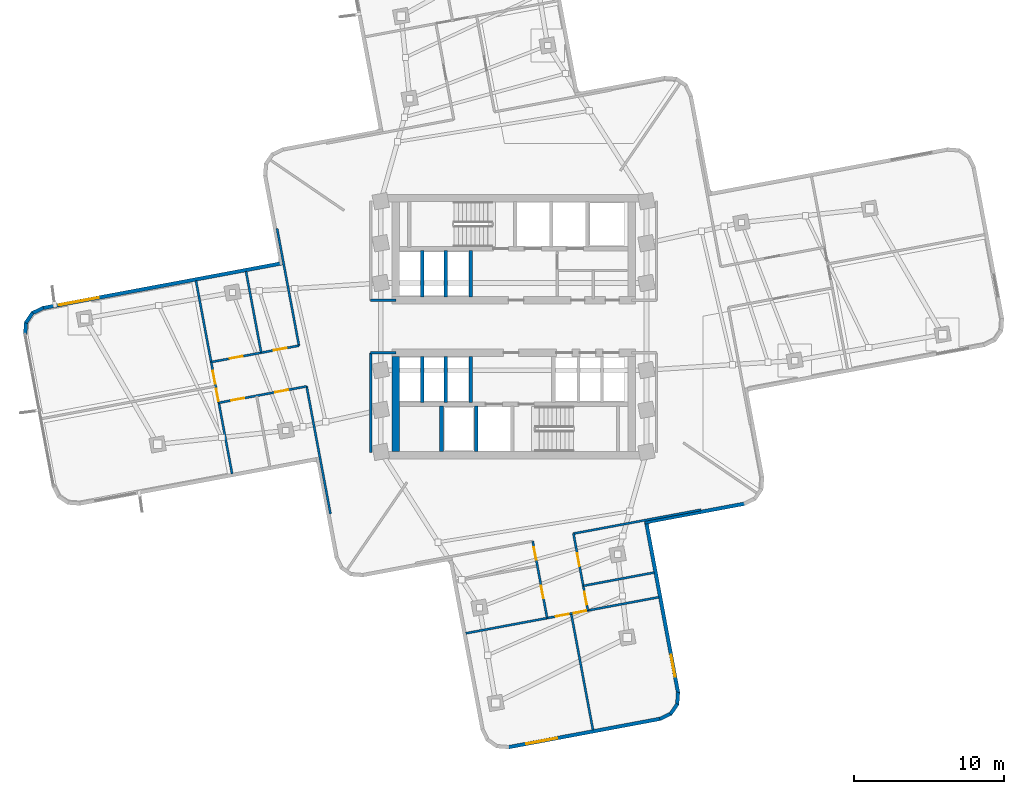
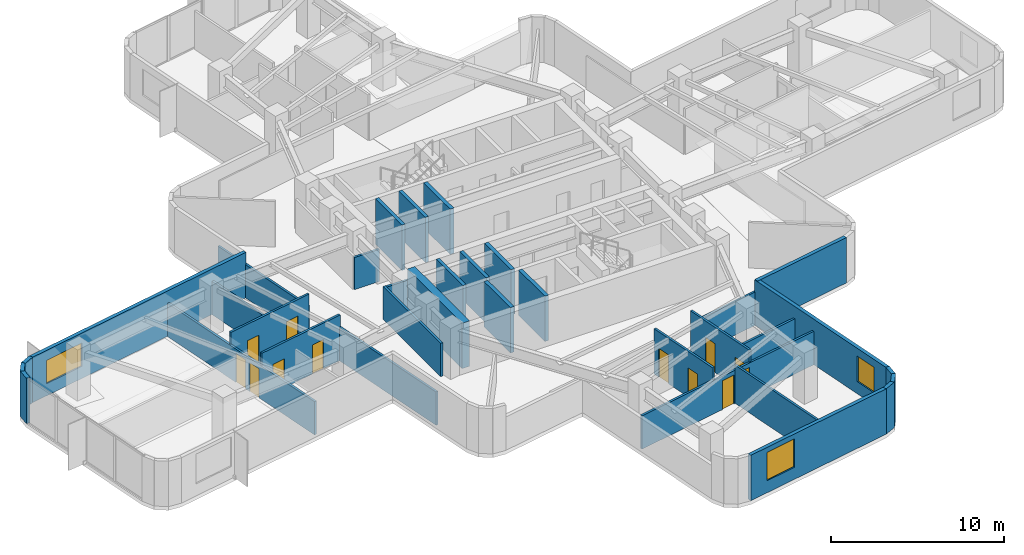
# One storey, part 6 of 12: 34 walls, 12 doors, 3 windows, 15 openings.
"""IFC4 building model written with IfcOpenShell, lengths in metres."""

from ifc_helpers import new_model, si_unit, direction, frame, frame_2d, origin, place, context, subcontext, project, spatial, rectangle, extrude, material, layer, layer_set, type_object, element, fill, save


model = new_model("IFC4")

# Units and contexts
model_context = context("Model", 3, precision=1e-05, world=origin(), true_north=direction((0.0, 1.0)))
body_context = subcontext(model_context, "Body", "Model", "MODEL_VIEW")
ifc_project = project(units=[si_unit("LENGTHUNIT", "METRE"), si_unit("AREAUNIT", "SQUARE_METRE"), si_unit("VOLUMEUNIT", "CUBIC_METRE"), si_unit("PLANEANGLEUNIT", "RADIAN"), si_unit("MASSUNIT", "GRAM", prefix="KILO")], contexts=[model_context])

# Site, building, storey
site_placement = place(None, origin())
site = spatial("IfcSite", under=ifc_project, at=site_placement, CompositionType="ELEMENT")
building_placement = place(site_placement, origin())
building = spatial("IfcBuilding", under=site, at=building_placement, Name="Solmarez Civic Tower", CompositionType="ELEMENT")
storey_placement = place(building_placement, frame((0.0, 0.0, 103.679931640625)))
storey = spatial("IfcBuildingStorey", under=building, at=storey_placement, Name="L27", CompositionType="ELEMENT", Elevation=103.679931640625)

# Walls
ifc_material_1 = material(Name="Concrete C60/75", Category="concrete")
ifc_layer_1 = layer(ifc_material_1, 0.5)
ifc_layer_set_1 = layer_set([ifc_layer_1], Name="Concrete C60/75")
wall_type_1 = type_object("IfcWallType", Name="WALL-CORE-500", PredefinedType="SHEAR", material=ifc_layer_set_1)
wall_1_placement = place(storey_placement, frame((-7.8701171875, -8.31005859375, 0.0), z_axis=(0.0, 0.0, 1.0), x_axis=(0.0, 1.0, 0.0)))
element("IfcWall", 1, at=wall_1_placement, inside=storey, type_object=wall_type_1, Name="L27 Split-Core Structural Wall SCW-W-L27", PredefinedType="SHEAR", context=body_context, shape_type="SweptSolid", body=[
    extrude(rectangle(XDim=6.31005859375, YDim=0.5, at=frame_2d((3.155029296875, 0.0))), origin(), (0.0, 0.0, 1.0), 3.199951171875),
])
ifc_material_2 = material(Name="Precast concrete C40/50", Category="concrete")
ifc_layer_2 = layer(ifc_material_2, 0.239990234375)
ifc_layer_set_2 = layer_set([ifc_layer_2], Name="Precast concrete C40/50")
wall_type_2 = type_object("IfcWallType", Name="WALL-EXT-240", PredefinedType="SOLIDWALL", material=ifc_layer_set_2)
wall_2_placement = place(storey_placement, frame((-32.54296875, -0.535888671875, 0.0), z_axis=(0.0, 0.0, 1.0), x_axis=(0.07586448817, 0.997118137151, 0.0)))
element("IfcWall", 2, at=wall_2_placement, inside=storey, type_object=wall_type_2, Name="L27 Exterior Precast Wall 7", PredefinedType="SOLIDWALL", context=body_context, shape_type="SweptSolid", body=[
    extrude(rectangle(XDim=0.830322265625, YDim=0.239990234375, at=frame_2d((0.4150390625, 0.0))), origin(), (0.0, 0.0, 1.0), 3.199951171875),
])
wall_3_placement = place(storey_placement, frame((-32.49609375, 0.24609375, 0.0), z_axis=(0.0, 0.0, 1.0), x_axis=(0.56454433247, 0.825402748163, 0.0)))
element("IfcWall", 3, at=wall_3_placement, inside=storey, type_object=wall_type_2, Name="L27 Exterior Precast Wall 8", PredefinedType="SOLIDWALL", context=body_context, shape_type="SweptSolid", body=[
    extrude(rectangle(XDim=0.815185546875, YDim=0.239990234375, at=frame_2d((0.40771484375, 0.0))), origin(), (0.0, 0.0, 1.0), 3.199951171875),
])
wall_4_placement = place(storey_placement, frame((-32.072998046875, 0.886962890625, 0.0), z_axis=(0.0, 0.0, 1.0), x_axis=(0.901930409836, 0.431881390908, 0.0)))
element("IfcWall", 4, at=wall_4_placement, inside=storey, type_object=wall_type_2, Name="L27 Exterior Precast Wall 9", PredefinedType="SOLIDWALL", context=body_context, shape_type="SweptSolid", body=[
    extrude(rectangle(XDim=0.83154296875, YDim=0.239990234375, at=frame_2d((0.415771484375, 0.0))), origin(), (0.0, 0.0, 1.0), 3.199951171875),
])

# Wall, opening, window
wall_5_placement = place(storey_placement, frame((-31.37109375, 1.22998046875, 0.0), z_axis=(0.0, 0.0, 1.0), x_axis=(0.982920382654, 0.18403130539, 0.0)))
wall_5 = element("IfcWall", 5, at=wall_5_placement, inside=storey, type_object=wall_type_2, Name="L27 Exterior Precast Wall 10", PredefinedType="SOLIDWALL", context=body_context, shape_type="SweptSolid", body=[
    extrude(rectangle(XDim=16.275146484375, YDim=0.239990234375, at=frame_2d((8.1376953125, 0.0))), origin(), (0.0, 0.0, 1.0), 3.199951171875),
])
opening_1_placement = place(wall_5_placement, frame((1.10009765625, 0.0, 0.85009765625)))
opening_1 = element("IfcOpeningElement", 6, at=opening_1_placement, cuts=wall_5, Name="Opening W-09", PredefinedType="OPENING", context=body_context, shape_type="SweptSolid", body=[
    extrude(rectangle(XDim=2.699951171875, YDim=1.64990234375, at=frame_2d((1.35009765625, 0.824951171875))), frame((0.0, 0.1298828125, 0.0), z_axis=(0.0, -1.0, 0.0), x_axis=(1.0, 0.0, 0.0)), (0.0, 0.0, 1.0), 0.260009765625),
])
ifc_material_3 = material(Name="Solar Control Bronze-Tinted Insulating Glass", Category="glass")
window_type_1 = type_object("IfcWindowType", Name="WIN-2700X1650", PartitioningType="SINGLE_PANEL", PredefinedType="WINDOW", material=ifc_material_3)
window_1_placement = place(opening_1_placement, origin())
window_1 = element("IfcWindow", 7, at=window_1_placement, inside=storey, type_object=window_type_1, Name="L27 Exterior Facade Window 10", OverallHeight=1.64990234375, OverallWidth=2.699951171875, PartitioningType="SINGLE_PANEL", PredefinedType="WINDOW", context=body_context, shape_type="SweptSolid", body=[
    extrude(rectangle(XDim=2.699951171875, YDim=1.64990234375, at=frame_2d((1.35009765625, 0.824951171875))), frame((0.0, 0.030029296875, 0.0), z_axis=(0.0, -1.0, 0.0), x_axis=(1.0, 0.0, 0.0)), (0.0, 0.0, 1.0), 0.06005859375),
])
fill(opening_1, window_1)

# Wall
wall_6_placement = place(storey_placement, frame((15.39306640625, -11.799072265625, 0.0), z_axis=(0.0, 0.0, 1.0), x_axis=(-0.982891759821, -0.184184115697, 0.0)))
element("IfcWall", 8, at=wall_6_placement, inside=storey, type_object=wall_type_2, Name="L27 Exterior Precast Wall 53", PredefinedType="SOLIDWALL", context=body_context, shape_type="SweptSolid", body=[
    extrude(rectangle(XDim=6.776123046875, YDim=0.239990234375, at=frame_2d((3.38818359375, 0.0))), origin(), (0.0, 0.0, 1.0), 3.199951171875),
])

# Wall, opening, window
wall_7_placement = place(storey_placement, frame((8.80908203125, -12.93505859375, 0.0), z_axis=(0.0, 0.0, 1.0), x_axis=(0.184057484564, -0.98291548079, 0.0)))
wall_7 = element("IfcWall", 9, at=wall_7_placement, inside=storey, type_object=wall_type_2, Name="L27 Exterior Precast Wall 56", PredefinedType="SOLIDWALL", context=body_context, shape_type="SweptSolid", body=[
    extrude(rectangle(XDim=11.67529296875, YDim=0.239990234375, at=frame_2d((5.837646484375, 0.0))), origin(), (0.0, 0.0, 1.0), 3.199951171875),
])
opening_2_placement = place(wall_7_placement, frame((9.074951171875, 0.0, 0.85009765625)))
opening_2 = element("IfcOpeningElement", 10, at=opening_2_placement, cuts=wall_7, Name="Opening W-13", PredefinedType="OPENING", context=body_context, shape_type="SweptSolid", body=[
    extrude(rectangle(XDim=1.5, YDim=1.800048828125, at=frame_2d((0.75, 0.89990234375))), frame((0.0, 0.1298828125, 0.0), z_axis=(0.0, -1.0, 0.0), x_axis=(1.0, 0.0, 0.0)), (0.0, 0.0, 1.0), 0.260009765625),
])
window_type_2 = type_object("IfcWindowType", Name="WIN-1500X1800", PartitioningType="SINGLE_PANEL", PredefinedType="WINDOW", material=ifc_material_3)
window_2_placement = place(opening_2_placement, origin())
window_2 = element("IfcWindow", 11, at=window_2_placement, inside=storey, type_object=window_type_2, Name="L27 Exterior Facade Window 56", OverallHeight=1.800048828125, OverallWidth=1.5, PartitioningType="SINGLE_PANEL", PredefinedType="WINDOW", context=body_context, shape_type="SweptSolid", body=[
    extrude(rectangle(XDim=1.5, YDim=1.800048828125, at=frame_2d((0.75, 0.89990234375))), frame((0.0, 0.030029296875, 0.0), z_axis=(0.0, -1.0, 0.0), x_axis=(1.0, 0.0, 0.0)), (0.0, 0.0, 1.0), 0.06005859375),
])
fill(opening_2, window_2)

# Walls
wall_8_placement = place(storey_placement, frame((10.955078125, -24.361083984375, 0.0), z_axis=(0.0, 0.0, 1.0), x_axis=(-0.077033754987, -0.997028485347, 0.0)))
element("IfcWall", 12, at=wall_8_placement, inside=storey, type_object=wall_type_2, Name="L27 Exterior Precast Wall 57", PredefinedType="SOLIDWALL", context=body_context, shape_type="SweptSolid", body=[
    extrude(rectangle(XDim=0.830322265625, YDim=0.239990234375, at=frame_2d((0.4150390625, 0.0))), origin(), (0.0, 0.0, 1.0), 3.199951171875),
])
wall_9_placement = place(storey_placement, frame((10.906982421875, -25.14306640625, 0.0), z_axis=(0.0, 0.0, 1.0), x_axis=(-0.564898876177, -0.825160141847, 0.0)))
element("IfcWall", 13, at=wall_9_placement, inside=storey, type_object=wall_type_2, Name="L27 Exterior Precast Wall 58", PredefinedType="SOLIDWALL", context=body_context, shape_type="SweptSolid", body=[
    extrude(rectangle(XDim=0.814208984375, YDim=0.239990234375, at=frame_2d((0.4072265625, 0.0))), origin(), (0.0, 0.0, 1.0), 3.199951171875),
])
wall_10_placement = place(storey_placement, frame((10.48388671875, -25.782958984375, 0.0), z_axis=(0.0, 0.0, 1.0), x_axis=(-0.901656054187, -0.432453881874, 0.0)))
element("IfcWall", 14, at=wall_10_placement, inside=storey, type_object=wall_type_2, Name="L27 Exterior Precast Wall 59", PredefinedType="SOLIDWALL", context=body_context, shape_type="SweptSolid", body=[
    extrude(rectangle(XDim=0.83056640625, YDim=0.239990234375, at=frame_2d((0.415283203125, 0.0))), origin(), (0.0, 0.0, 1.0), 3.199951171875),
])

# Wall, opening, window
wall_11_placement = place(storey_placement, frame((9.782958984375, -26.1259765625, 0.0), z_axis=(0.0, 0.0, 1.0), x_axis=(-0.98292624202, -0.184000007471, 0.0)))
wall_11 = element("IfcWall", 15, at=wall_11_placement, inside=storey, type_object=wall_type_2, Name="L27 Exterior Precast Wall 60", PredefinedType="SOLIDWALL", context=body_context, shape_type="SweptSolid", body=[
    extrude(rectangle(XDim=10.3203125, YDim=0.239990234375, at=frame_2d((5.16015625, 0.0))), origin(), (0.0, 0.0, 1.0), 3.199951171875),
])
opening_3_placement = place(wall_11_placement, frame((7.0, 0.0, 0.85009765625)))
opening_3 = element("IfcOpeningElement", 16, at=opening_3_placement, cuts=wall_11, Name="Opening W-03", PredefinedType="OPENING", context=body_context, shape_type="SweptSolid", body=[
    extrude(rectangle(XDim=2.10009765625, YDim=2.0, at=frame_2d((1.050048828125, 1.0))), frame((0.0, 0.1298828125, 0.0), z_axis=(0.0, -1.0, 0.0), x_axis=(1.0, 0.0, 0.0)), (0.0, 0.0, 1.0), 0.260009765625),
])
window_type_3 = type_object("IfcWindowType", Name="WIN-2100X2000", PartitioningType="SINGLE_PANEL", PredefinedType="WINDOW", material=ifc_material_3)
window_3_placement = place(opening_3_placement, origin())
window_3 = element("IfcWindow", 17, at=window_3_placement, inside=storey, type_object=window_type_3, Name="L27 Exterior Facade Window 60", OverallHeight=2.0, OverallWidth=2.10009765625, PartitioningType="SINGLE_PANEL", PredefinedType="WINDOW", context=body_context, shape_type="SweptSolid", body=[
    extrude(rectangle(XDim=2.10009765625, YDim=2.0, at=frame_2d((1.050048828125, 1.0))), frame((0.0, 0.030029296875, 0.0), z_axis=(0.0, -1.0, 0.0), x_axis=(1.0, 0.0, 0.0)), (0.0, 0.0, 1.0), 0.06005859375),
])
fill(opening_3, window_3)

# Walls
ifc_material_4 = material(Name="Gypsum Board Acoustic Steel-Stud Partition", Category="steel")
ifc_layer_3 = layer(ifc_material_4, 0.14990234375)
ifc_layer_set_3 = layer_set([ifc_layer_3], Name="Gypsum Board Acoustic Steel-Stud Partition")
wall_type_3 = type_object("IfcWallType", Name="WALL-INT-FIRE-150", PredefinedType="PARTITIONING", material=ifc_layer_set_3)
wall_12_placement = place(storey_placement, frame((-7.85009765625, 1.75, 0.0), z_axis=(0.0, 0.0, 1.0), x_axis=(-1.0, 0.0, 0.0)))
element("IfcWall", 18, at=wall_12_placement, inside=storey, type_object=wall_type_3, Name="L27 Interior Partition CHW-L27-WN3", PredefinedType="PARTITIONING", context=body_context, shape_type="SweptSolid", body=[
    extrude(rectangle(XDim=1.669921875, YDim=0.14990234375, at=frame_2d((0.8349609375, 0.0))), origin(), (0.0, 0.0, 1.0), 2.26513671875),
])
wall_13_placement = place(storey_placement, frame((-9.52001953125, -8.3798828125, 0.0), z_axis=(0.0, 0.0, 1.0), x_axis=(0.0, 1.0, 0.0)))
element("IfcWall", 19, at=wall_13_placement, inside=storey, type_object=wall_type_3, Name="L27 Interior Partition CHW-L27-WS1", PredefinedType="PARTITIONING", context=body_context, shape_type="SweptSolid", body=[
    extrude(rectangle(XDim=6.6298828125, YDim=0.14990234375, at=frame_2d((3.31494140625, 0.0))), origin(), (0.0, 0.0, 1.0), 2.345947265625),
])
wall_14_placement = place(storey_placement, frame((-7.85009765625, -1.75, 0.0), z_axis=(0.0, 0.0, 1.0), x_axis=(-1.0, 0.0, 0.0)))
element("IfcWall", 20, at=wall_14_placement, inside=storey, type_object=wall_type_3, Name="L27 Interior Partition CHW-L27-WS3", PredefinedType="PARTITIONING", context=body_context, shape_type="SweptSolid", body=[
    extrude(rectangle(XDim=1.669921875, YDim=0.14990234375, at=frame_2d((0.8349609375, 0.0))), origin(), (0.0, 0.0, 1.0), 2.26513671875),
])
ifc_layer_4 = layer(ifc_material_4, 0.14501953125)
ifc_layer_set_4 = layer_set([ifc_layer_4], Name="Gypsum Board Acoustic Steel-Stud Partition")
wall_type_4 = type_object("IfcWallType", Name="WALL-INT-PART-150", PredefinedType="PARTITIONING", material=ifc_layer_set_4)
wall_15_placement = place(storey_placement, frame((-13.7939453125, -3.97509765625, 0.0), z_axis=(0.0, 0.0, 1.0), x_axis=(0.183947683851, -0.982936035358, 0.0)))
element("IfcWall", 21, at=wall_15_placement, inside=storey, type_object=wall_type_4, Name="L27 Interior Partition PT-L27-W-EFL", PredefinedType="PARTITIONING", context=body_context, shape_type="SweptSolid", body=[
    extrude(rectangle(XDim=8.649658203125, YDim=0.14501953125, at=frame_2d((4.32470703125, 0.0))), origin(), (0.0, 0.0, 1.0), 2.345947265625),
])
wall_16_placement = place(storey_placement, frame((-15.760986328125, 6.531982421875, 0.0), z_axis=(0.0, 0.0, 1.0), x_axis=(0.184017811376, -0.98292290903, 0.0)))
element("IfcWall", 22, at=wall_16_placement, inside=storey, type_object=wall_type_4, Name="L27 Interior Partition PT-L27-W-EFR", PredefinedType="PARTITIONING", context=body_context, shape_type="SweptSolid", body=[
    extrude(rectangle(XDim=7.94970703125, YDim=0.14501953125, at=frame_2d((3.974853515625, 0.0))), origin(), (0.0, 0.0, 1.0), 2.345947265625),
])
wall_17_placement = place(storey_placement, frame((-17.8310546875, 3.677978515625, 0.0), z_axis=(0.0, 0.0, 1.0), x_axis=(0.183993430365, -0.982927473206, 0.0)))
element("IfcWall", 23, at=wall_17_placement, inside=storey, type_object=wall_type_4, Name="L27 Interior Partition PT-L27-W-RM", PredefinedType="PARTITIONING", context=body_context, shape_type="SweptSolid", body=[
    extrude(rectangle(XDim=5.49462890625, YDim=0.14501953125, at=frame_2d((2.747314453125, 0.0))), origin(), (0.0, 0.0, 1.0), 2.345947265625),
])

# Wall, openings, doors
wall_18_placement = place(storey_placement, frame((-19.64111328125, -5.080078125, 0.0), z_axis=(0.0, 0.0, 1.0), x_axis=(0.982925094433, 0.184006137763, 0.0)))
wall_18 = element("IfcWall", 24, at=wall_18_placement, inside=storey, type_object=wall_type_4, Name="L27 Interior Partition PT-L27-W-SL", PredefinedType="PARTITIONING", context=body_context, shape_type="SweptSolid", body=[
    extrude(rectangle(XDim=5.95068359375, YDim=0.14501953125, at=frame_2d((2.975341796875, 0.0))), origin(), (0.0, 0.0, 1.0), 3.199951171875),
])
opening_4_placement = place(wall_18_placement, frame((3.825927734375, 0.0, 0.0)))
opening_4 = element("IfcOpeningElement", 25, at=opening_4_placement, cuts=wall_18, Name="Opening D-14", PredefinedType="OPENING", context=body_context, shape_type="SweptSolid", body=[
    extrude(rectangle(XDim=0.860107421875, YDim=2.0400390625, at=frame_2d((0.43017578125, 1.02001953125))), frame((0.0, 0.08251953125, 0.0), z_axis=(0.0, -1.0, 0.0), x_axis=(1.0, 0.0, 0.0)), (0.0, 0.0, 1.0), 0.1650390625),
])
opening_5_placement = place(wall_18_placement, frame((0.85107421875, 0.0, 0.0)))
opening_5 = element("IfcOpeningElement", 26, at=opening_5_placement, cuts=wall_18, Name="Opening D-14", PredefinedType="OPENING", context=body_context, shape_type="SweptSolid", body=[
    extrude(rectangle(XDim=0.860107421875, YDim=2.0400390625, at=frame_2d((0.43017578125, 1.02001953125))), frame((0.0, 0.08251953125, 0.0), z_axis=(0.0, -1.0, 0.0), x_axis=(1.0, 0.0, 0.0)), (0.0, 0.0, 1.0), 0.1650390625),
])
ifc_material_5 = material(Name="Timber Storage and Pantry Door", Category="wood")
door_type = type_object("IfcDoorType", Name="DOOR-INT-850", OperationType="NOTDEFINED", PredefinedType="DOOR", material=ifc_material_5)
door_1_placement = place(opening_4_placement, origin())
door_1 = element("IfcDoor", 27, at=door_1_placement, inside=storey, type_object=door_type, Name="L27 Public Reading Room First West Door", OperationType="SINGLE_SWING_LEFT", OverallHeight=2.0400390625, OverallWidth=0.860107421875, PredefinedType="DOOR", context=body_context, shape_type="SweptSolid", body=[
    extrude(rectangle(XDim=0.860107421875, YDim=2.0400390625, at=frame_2d((0.43017578125, 1.02001953125))), frame((0.0, 0.02490234375, 0.0), z_axis=(0.0, -1.0, 0.0), x_axis=(1.0, 0.0, 0.0)), (0.0, 0.0, 1.0), 0.050048828125),
])
fill(opening_4, door_1)
door_2_placement = place(opening_5_placement, origin())
door_2 = element("IfcDoor", 28, at=door_2_placement, inside=storey, type_object=door_type, Name="L27 Delegates Lounge Second West Door", OperationType="SINGLE_SWING_RIGHT", OverallHeight=2.0400390625, OverallWidth=0.860107421875, PredefinedType="DOOR", context=body_context, shape_type="SweptSolid", body=[
    extrude(rectangle(XDim=0.860107421875, YDim=2.0400390625, at=frame_2d((0.43017578125, 1.02001953125))), frame((0.0, 0.02490234375, 0.0), z_axis=(0.0, -1.0, 0.0), x_axis=(1.0, 0.0, 0.0)), (0.0, 0.0, 1.0), 0.050048828125),
])
fill(opening_5, door_2)

wall_19_placement = place(storey_placement, frame((-14.300048828125, -1.27197265625, 0.0), z_axis=(0.0, 0.0, 1.0), x_axis=(-0.982918146816, -0.184043246711, 0.0)))
wall_19 = element("IfcWall", 29, at=wall_19_placement, inside=storey, type_object=wall_type_4, Name="L27 Interior Partition PT-L27-W-SR", PredefinedType="PARTITIONING", context=body_context, shape_type="SweptSolid", body=[
    extrude(rectangle(XDim=5.949462890625, YDim=0.14501953125, at=frame_2d((2.974609375, 0.0))), origin(), (0.0, 0.0, 1.0), 3.199951171875),
])
opening_6_placement = place(wall_19_placement, frame((0.85009765625, 0.0, 0.0)))
opening_6 = element("IfcOpeningElement", 30, at=opening_6_placement, cuts=wall_19, Name="Opening D-14", PredefinedType="OPENING", context=body_context, shape_type="SweptSolid", body=[
    extrude(rectangle(XDim=0.860107421875, YDim=2.0400390625, at=frame_2d((0.43017578125, 1.02001953125))), frame((0.0, 0.08251953125, 0.0), z_axis=(0.0, -1.0, 0.0), x_axis=(1.0, 0.0, 0.0)), (0.0, 0.0, 1.0), 0.1650390625),
])
opening_7_placement = place(wall_19_placement, frame((3.824951171875, 0.0, 0.0)))
opening_7 = element("IfcOpeningElement", 31, at=opening_7_placement, cuts=wall_19, Name="Opening D-14", PredefinedType="OPENING", context=body_context, shape_type="SweptSolid", body=[
    extrude(rectangle(XDim=0.860107421875, YDim=2.0400390625, at=frame_2d((0.43017578125, 1.02001953125))), frame((0.0, 0.08251953125, 0.0), z_axis=(0.0, -1.0, 0.0), x_axis=(1.0, 0.0, 0.0)), (0.0, 0.0, 1.0), 0.1650390625),
])
door_3_placement = place(opening_6_placement, origin())
door_3 = element("IfcDoor", 32, at=door_3_placement, inside=storey, type_object=door_type, Name="L27 Tribunal Mediation Conference Room Third West Door", OperationType="SINGLE_SWING_RIGHT", OverallHeight=2.0400390625, OverallWidth=0.860107421875, PredefinedType="DOOR", context=body_context, shape_type="SweptSolid", body=[
    extrude(rectangle(XDim=0.860107421875, YDim=2.0400390625, at=frame_2d((0.43017578125, 1.02001953125))), frame((0.0, 0.02490234375, 0.0), z_axis=(0.0, -1.0, 0.0), x_axis=(1.0, 0.0, 0.0)), (0.0, 0.0, 1.0), 0.050048828125),
])
fill(opening_6, door_3)
door_4_placement = place(opening_7_placement, origin())
door_4 = element("IfcDoor", 33, at=door_4_placement, inside=storey, type_object=door_type, Name="L27 Counsel Administration Office Fourth West Door", OperationType="SINGLE_SWING_LEFT", OverallHeight=2.0400390625, OverallWidth=0.860107421875, PredefinedType="DOOR", context=body_context, shape_type="SweptSolid", body=[
    extrude(rectangle(XDim=0.860107421875, YDim=2.0400390625, at=frame_2d((0.43017578125, 1.02001953125))), frame((0.0, 0.02490234375, 0.0), z_axis=(0.0, -1.0, 0.0), x_axis=(1.0, 0.0, 0.0)), (0.0, 0.0, 1.0), 0.050048828125),
])
fill(opening_7, door_4)

wall_20_placement = place(storey_placement, frame((-18.7548828125, -9.81298828125, 0.0), z_axis=(0.0, 0.0, 1.0), x_axis=(-0.183967597498, 0.982932308489, 0.0)))
wall_20 = element("IfcWall", 34, at=wall_20_placement, inside=storey, type_object=wall_type_4, Name="L27 Interior Partition PT-L27-W-END", PredefinedType="PARTITIONING", context=body_context, shape_type="SweptSolid", body=[
    extrude(rectangle(XDim=13.09033203125, YDim=0.14501953125, at=frame_2d((6.545166015625, 0.0))), origin(), (0.0, 0.0, 1.0), 2.345947265625),
])
opening_8_placement = place(wall_20_placement, frame((6.114990234375, 0.0, 0.0)))
opening_8 = element("IfcOpeningElement", 35, at=opening_8_placement, cuts=wall_20, Name="Opening D-14", PredefinedType="OPENING", context=body_context, shape_type="SweptSolid", body=[
    extrude(rectangle(XDim=0.860107421875, YDim=2.0400390625, at=frame_2d((0.43017578125, 1.02001953125))), frame((0.0, 0.08251953125, 0.0), z_axis=(0.0, -1.0, 0.0), x_axis=(1.0, 0.0, 0.0)), (0.0, 0.0, 1.0), 0.1650390625),
])
opening_9_placement = place(wall_20_placement, frame((4.9150390625, 0.0, 0.0)))
opening_9 = element("IfcOpeningElement", 36, at=opening_9_placement, cuts=wall_20, Name="Opening D-14", PredefinedType="OPENING", context=body_context, shape_type="SweptSolid", body=[
    extrude(rectangle(XDim=0.860107421875, YDim=2.0400390625, at=frame_2d((0.43017578125, 1.02001953125))), frame((0.0, 0.08251953125, 0.0), z_axis=(0.0, -1.0, 0.0), x_axis=(1.0, 0.0, 0.0)), (0.0, 0.0, 1.0), 0.1650390625),
])
door_5_placement = place(opening_8_placement, origin())
door_5 = element("IfcDoor", 37, at=door_5_placement, inside=storey, type_object=door_type, Name="L27 Counsel Administration Office Sixth West Door", OperationType="SINGLE_SWING_RIGHT", OverallHeight=2.0400390625, OverallWidth=0.860107421875, PredefinedType="DOOR", context=body_context, shape_type="SweptSolid", body=[
    extrude(rectangle(XDim=0.860107421875, YDim=2.0400390625, at=frame_2d((0.43017578125, 1.02001953125))), frame((0.0, 0.02490234375, 0.0), z_axis=(0.0, -1.0, 0.0), x_axis=(1.0, 0.0, 0.0)), (0.0, 0.0, 1.0), 0.050048828125),
])
fill(opening_8, door_5)
door_6_placement = place(opening_9_placement, origin())
door_6 = element("IfcDoor", 38, at=door_6_placement, inside=storey, type_object=door_type, Name="L27 Tribunal Mediation Conference Room Fifth West Door", OperationType="SINGLE_SWING_LEFT", OverallHeight=2.0400390625, OverallWidth=0.860107421875, PredefinedType="DOOR", context=body_context, shape_type="SweptSolid", body=[
    extrude(rectangle(XDim=0.860107421875, YDim=2.0400390625, at=frame_2d((0.43017578125, 1.02001953125))), frame((0.0, 0.02490234375, 0.0), z_axis=(0.0, -1.0, 0.0), x_axis=(1.0, 0.0, 0.0)), (0.0, 0.0, 1.0), 0.050048828125),
])
fill(opening_9, door_6)

# Walls
wall_21_placement = place(storey_placement, frame((3.97509765625, -13.7939453125, 0.0), z_axis=(0.0, 0.0, 1.0), x_axis=(0.982936035358, 0.183947683851, 0.0)))
element("IfcWall", 39, at=wall_21_placement, inside=storey, type_object=wall_type_4, Name="L27 Interior Partition PT-L27-S-EFL", PredefinedType="PARTITIONING", context=body_context, shape_type="SweptSolid", body=[
    extrude(rectangle(XDim=8.649658203125, YDim=0.14501953125, at=frame_2d((4.32470703125, 0.0))), origin(), (0.0, 0.0, 1.0), 2.345947265625),
])
wall_22_placement = place(storey_placement, frame((4.656005859375, -17.26806640625, 0.0), z_axis=(0.0, 0.0, 1.0), x_axis=(0.982932084341, 0.183968795106, 0.0)))
element("IfcWall", 40, at=wall_22_placement, inside=storey, type_object=wall_type_4, Name="L27 Interior Partition PT-L27-S-LM", PredefinedType="PARTITIONING", context=body_context, shape_type="SweptSolid", body=[
    extrude(rectangle(XDim=4.794677734375, YDim=0.14501953125, at=frame_2d((2.3974609375, 0.0))), origin(), (0.0, 0.0, 1.0), 2.345947265625),
])

# Wall, openings, doors
wall_23_placement = place(storey_placement, frame((4.944091796875, -18.9130859375, 0.0), z_axis=(0.0, 0.0, 1.0), x_axis=(-0.184062192303, 0.982914599222, 0.0)))
wall_23 = element("IfcWall", 41, at=wall_23_placement, inside=storey, type_object=wall_type_4, Name="L27 Interior Partition PT-L27-S-SL", PredefinedType="PARTITIONING", context=body_context, shape_type="SweptSolid", body=[
    extrude(rectangle(XDim=5.210205078125, YDim=0.14501953125, at=frame_2d((2.60498046875, 0.0))), origin(), (0.0, 0.0, 1.0), 3.199951171875),
])
opening_10_placement = place(wall_23_placement, frame((3.010009765625, 0.0, 0.0)))
opening_10 = element("IfcOpeningElement", 42, at=opening_10_placement, cuts=wall_23, Name="Opening D-14", PredefinedType="OPENING", context=body_context, shape_type="SweptSolid", body=[
    extrude(rectangle(XDim=0.860107421875, YDim=2.0400390625, at=frame_2d((0.43017578125, 1.02001953125))), frame((0.0, 0.08251953125, 0.0), z_axis=(0.0, -1.0, 0.0), x_axis=(1.0, 0.0, 0.0)), (0.0, 0.0, 1.0), 0.1650390625),
])
opening_11_placement = place(wall_23_placement, frame((0.405029296875, 0.0, 0.0)))
opening_11 = element("IfcOpeningElement", 43, at=opening_11_placement, cuts=wall_23, Name="Opening D-14", PredefinedType="OPENING", context=body_context, shape_type="SweptSolid", body=[
    extrude(rectangle(XDim=0.860107421875, YDim=2.0400390625, at=frame_2d((0.43017578125, 1.02001953125))), frame((0.0, 0.08251953125, 0.0), z_axis=(0.0, -1.0, 0.0), x_axis=(1.0, 0.0, 0.0)), (0.0, 0.0, 1.0), 0.1650390625),
])
door_7_placement = place(opening_10_placement, origin())
door_7 = element("IfcDoor", 44, at=door_7_placement, inside=storey, type_object=door_type, Name="L27 Delegates Lounge First South Door", OperationType="SINGLE_SWING_LEFT", OverallHeight=2.0400390625, OverallWidth=0.860107421875, PredefinedType="DOOR", context=body_context, shape_type="SweptSolid", body=[
    extrude(rectangle(XDim=0.860107421875, YDim=2.0400390625, at=frame_2d((0.43017578125, 1.02001953125))), frame((0.0, 0.02490234375, 0.0), z_axis=(0.0, -1.0, 0.0), x_axis=(1.0, 0.0, 0.0)), (0.0, 0.0, 1.0), 0.050048828125),
])
fill(opening_10, door_7)
door_8_placement = place(opening_11_placement, origin())
door_8 = element("IfcDoor", 45, at=door_8_placement, inside=storey, type_object=door_type, Name="L27 Tribunal Mediation Conference Room Second South Door", OperationType="SINGLE_SWING_RIGHT", OverallHeight=2.0400390625, OverallWidth=0.860107421875, PredefinedType="DOOR", context=body_context, shape_type="SweptSolid", body=[
    extrude(rectangle(XDim=0.860107421875, YDim=2.0400390625, at=frame_2d((0.43017578125, 1.02001953125))), frame((0.0, 0.02490234375, 0.0), z_axis=(0.0, -1.0, 0.0), x_axis=(1.0, 0.0, 0.0)), (0.0, 0.0, 1.0), 0.050048828125),
])
fill(opening_11, door_8)

wall_24_placement = place(storey_placement, frame((1.27197265625, -14.300048828125, 0.0), z_axis=(0.0, 0.0, 1.0), x_axis=(0.184070670298, -0.982913011581, 0.0)))
wall_24 = element("IfcWall", 46, at=wall_24_placement, inside=storey, type_object=wall_type_4, Name="L27 Interior Partition PT-L27-S-SR", PredefinedType="PARTITIONING", context=body_context, shape_type="SweptSolid", body=[
    extrude(rectangle(XDim=5.2099609375, YDim=0.14501953125, at=frame_2d((2.60498046875, 0.0))), origin(), (0.0, 0.0, 1.0), 3.199951171875),
])
opening_12_placement = place(wall_24_placement, frame((0.405029296875, 0.0, 0.0)))
opening_12 = element("IfcOpeningElement", 47, at=opening_12_placement, cuts=wall_24, Name="Opening D-14", PredefinedType="OPENING", context=body_context, shape_type="SweptSolid", body=[
    extrude(rectangle(XDim=0.860107421875, YDim=2.0400390625, at=frame_2d((0.43017578125, 1.02001953125))), frame((0.0, 0.08251953125, 0.0), z_axis=(0.0, -1.0, 0.0), x_axis=(1.0, 0.0, 0.0)), (0.0, 0.0, 1.0), 0.1650390625),
])
opening_13_placement = place(wall_24_placement, frame((3.010009765625, 0.0, 0.0)))
opening_13 = element("IfcOpeningElement", 48, at=opening_13_placement, cuts=wall_24, Name="Opening D-14", PredefinedType="OPENING", context=body_context, shape_type="SweptSolid", body=[
    extrude(rectangle(XDim=0.860107421875, YDim=2.0400390625, at=frame_2d((0.43017578125, 1.02001953125))), frame((0.0, 0.08251953125, 0.0), z_axis=(0.0, -1.0, 0.0), x_axis=(1.0, 0.0, 0.0)), (0.0, 0.0, 1.0), 0.1650390625),
])
door_9_placement = place(opening_12_placement, origin())
door_9 = element("IfcDoor", 49, at=door_9_placement, inside=storey, type_object=door_type, Name="L27 Counsel Administration Office Third South Door", OperationType="SINGLE_SWING_RIGHT", OverallHeight=2.0400390625, OverallWidth=0.860107421875, PredefinedType="DOOR", context=body_context, shape_type="SweptSolid", body=[
    extrude(rectangle(XDim=0.860107421875, YDim=2.0400390625, at=frame_2d((0.43017578125, 1.02001953125))), frame((0.0, 0.02490234375, 0.0), z_axis=(0.0, -1.0, 0.0), x_axis=(1.0, 0.0, 0.0)), (0.0, 0.0, 1.0), 0.050048828125),
])
fill(opening_12, door_9)
door_10_placement = place(opening_13_placement, origin())
door_10 = element("IfcDoor", 50, at=door_10_placement, inside=storey, type_object=door_type, Name="L27 Public Reading Room Fourth South Door", OperationType="SINGLE_SWING_LEFT", OverallHeight=2.0400390625, OverallWidth=0.860107421875, PredefinedType="DOOR", context=body_context, shape_type="SweptSolid", body=[
    extrude(rectangle(XDim=0.860107421875, YDim=2.0400390625, at=frame_2d((0.43017578125, 1.02001953125))), frame((0.0, 0.02490234375, 0.0), z_axis=(0.0, -1.0, 0.0), x_axis=(1.0, 0.0, 0.0)), (0.0, 0.0, 1.0), 0.050048828125),
])
fill(opening_13, door_10)

# Wall
wall_25_placement = place(storey_placement, frame((3.843994140625, -19.179931640625, 0.0), z_axis=(0.0, 0.0, 1.0), x_axis=(0.183912237739, -0.982942668119, 0.0)))
element("IfcWall", 51, at=wall_25_placement, inside=storey, type_object=wall_type_4, Name="L27 Interior Partition PT-L27-S-TM", PredefinedType="PARTITIONING", context=body_context, shape_type="SweptSolid", body=[
    extrude(rectangle(XDim=7.834716796875, YDim=0.14501953125, at=frame_2d((3.91748046875, 0.0))), origin(), (0.0, 0.0, 1.0), 2.692138671875),
])

# Wall, openings, doors
wall_26_placement = place(storey_placement, frame((9.676025390625, -18.028076171875, 0.0), z_axis=(0.0, 0.0, 1.0), x_axis=(-0.98293315623, -0.183963067988, 0.0)))
wall_26 = element("IfcWall", 52, at=wall_26_placement, inside=storey, type_object=wall_type_4, Name="L27 Interior Partition PT-L27-S-END", PredefinedType="PARTITIONING", context=body_context, shape_type="SweptSolid", body=[
    extrude(rectangle(XDim=13.08935546875, YDim=0.14501953125, at=frame_2d((6.544677734375, 0.0))), origin(), (0.0, 0.0, 1.0), 2.345947265625),
])
opening_14_placement = place(wall_26_placement, frame((6.114990234375, 0.0, 0.0)))
opening_14 = element("IfcOpeningElement", 53, at=opening_14_placement, cuts=wall_26, Name="Opening D-14", PredefinedType="OPENING", context=body_context, shape_type="SweptSolid", body=[
    extrude(rectangle(XDim=0.860107421875, YDim=2.0400390625, at=frame_2d((0.43017578125, 1.02001953125))), frame((0.0, 0.08251953125, 0.0), z_axis=(0.0, -1.0, 0.0), x_axis=(1.0, 0.0, 0.0)), (0.0, 0.0, 1.0), 0.1650390625),
])
opening_15_placement = place(wall_26_placement, frame((4.9150390625, 0.0, 0.0)))
opening_15 = element("IfcOpeningElement", 54, at=opening_15_placement, cuts=wall_26, Name="Opening D-14", PredefinedType="OPENING", context=body_context, shape_type="SweptSolid", body=[
    extrude(rectangle(XDim=0.860107421875, YDim=2.0400390625, at=frame_2d((0.43017578125, 1.02001953125))), frame((0.0, 0.08251953125, 0.0), z_axis=(0.0, -1.0, 0.0), x_axis=(1.0, 0.0, 0.0)), (0.0, 0.0, 1.0), 0.1650390625),
])
door_11_placement = place(opening_14_placement, origin())
door_11 = element("IfcDoor", 55, at=door_11_placement, inside=storey, type_object=door_type, Name="L27 Public Reading Room Sixth South Door", OperationType="SINGLE_SWING_RIGHT", OverallHeight=2.0400390625, OverallWidth=0.860107421875, PredefinedType="DOOR", context=body_context, shape_type="SweptSolid", body=[
    extrude(rectangle(XDim=0.860107421875, YDim=2.0400390625, at=frame_2d((0.43017578125, 1.02001953125))), frame((0.0, 0.02490234375, 0.0), z_axis=(0.0, -1.0, 0.0), x_axis=(1.0, 0.0, 0.0)), (0.0, 0.0, 1.0), 0.050048828125),
])
fill(opening_14, door_11)
door_12_placement = place(opening_15_placement, origin())
door_12 = element("IfcDoor", 56, at=door_12_placement, inside=storey, type_object=door_type, Name="L27 Counsel Administration Office Fifth South Door", OperationType="SINGLE_SWING_LEFT", OverallHeight=2.0400390625, OverallWidth=0.860107421875, PredefinedType="DOOR", context=body_context, shape_type="SweptSolid", body=[
    extrude(rectangle(XDim=0.860107421875, YDim=2.0400390625, at=frame_2d((0.43017578125, 1.02001953125))), frame((0.0, 0.02490234375, 0.0), z_axis=(0.0, -1.0, 0.0), x_axis=(1.0, 0.0, 0.0)), (0.0, 0.0, 1.0), 0.050048828125),
])
fill(opening_15, door_12)

# Walls
ifc_material_6 = material(Name="Concrete C50/60", Category="concrete")
ifc_layer_5 = layer(ifc_material_6, 0.300048828125)
ifc_layer_set_5 = layer_set([ifc_layer_5], Name="Concrete C50/60")
wall_type_5 = type_object("IfcWallType", Name="WALL-STR-300", PredefinedType="SOLIDWALL", material=ifc_layer_set_5)
wall_27_placement = place(storey_placement, frame((-2.85009765625, 1.97998046875, 0.0), z_axis=(0.0, 0.0, 1.0), x_axis=(0.0, 1.0, 0.0)))
element("IfcWall", 57, at=wall_27_placement, inside=storey, type_object=wall_type_5, Name="L27 Split-Core Structural Wall SHW-NL1-L27", PredefinedType="SOLIDWALL", context=body_context, shape_type="SweptSolid", body=[
    extrude(rectangle(XDim=3.070068359375, YDim=0.25, at=frame_2d((1.53515625, 0.0))), origin(), (0.0, 0.0, 1.0), 3.199951171875),
])
for number, where, z_axis, x_axis, name in (
    (58, (-2.5, -8.340087890625, 0.0), (0.0, 0.0, 1.0), (0.0, 1.0, 0.0), "L27 Split-Core Structural Wall SHW-S2-L27"),
    (59, (-4.800048828125, -8.340087890625, 0.0), (0.0, 0.0, 1.0), (0.0, 1.0, 0.0), "L27 Split-Core Structural Wall SHW-S3-L27"),
):
    element("IfcWall", number, at=place(storey_placement, frame(where, z_axis=z_axis, x_axis=x_axis)), inside=storey, type_object=wall_type_5, Name=name, PredefinedType="SOLIDWALL", context=body_context, shape_type="SweptSolid", body=[
        extrude(rectangle(XDim=3.0400390625, YDim=0.25, at=frame_2d((1.52001953125, 0.0))), origin(), (0.0, 0.0, 1.0), 3.199951171875),
    ])
wall_28_placement = place(storey_placement, frame((-2.85009765625, -5.050048828125, 0.0), z_axis=(0.0, 0.0, 1.0), x_axis=(0.0, 1.0, 0.0)))
element("IfcWall", 60, at=wall_28_placement, inside=storey, type_object=wall_type_5, Name="L27 Split-Core Structural Wall SHW-SL1-L27", PredefinedType="SOLIDWALL", context=body_context, shape_type="SweptSolid", body=[
    extrude(rectangle(XDim=3.070068359375, YDim=0.25, at=frame_2d((1.53515625, 0.0))), origin(), (0.0, 0.0, 1.0), 3.199951171875),
])
for number, where, z_axis, x_axis, name in (
    (61, (-6.080078125, 1.97998046875, 0.0), (0.0, 0.0, 1.0), (0.0, 1.0, 0.0), "L27 Split-Core Structural Wall SHW-PLH-L27-1"),
    (62, (-4.52001953125, 1.97998046875, 0.0), (0.0, 0.0, 1.0), (0.0, 1.0, 0.0), "L27 Split-Core Structural Wall SHW-PLH-L27-2"),
    (63, (-6.080078125, -5.050048828125, 0.0), (0.0, 0.0, 1.0), (0.0, 1.0, 0.0), "L27 Split-Core Structural Wall SHW-PLM-L27-1"),
    (64, (-4.52001953125, -5.050048828125, 0.0), (0.0, 0.0, 1.0), (0.0, 1.0, 0.0), "L27 Split-Core Structural Wall SHW-PLM-L27-2"),
):
    element("IfcWall", number, at=place(storey_placement, frame(where, z_axis=z_axis, x_axis=x_axis)), inside=storey, type_object=wall_type_5, Name=name, PredefinedType="SOLIDWALL", context=body_context, shape_type="SweptSolid", body=[
        extrude(rectangle(XDim=3.070068359375, YDim=0.219970703125, at=frame_2d((1.53515625, 0.0))), origin(), (0.0, 0.0, 1.0), 3.199951171875),
    ])

save(model, "model.ifc")
